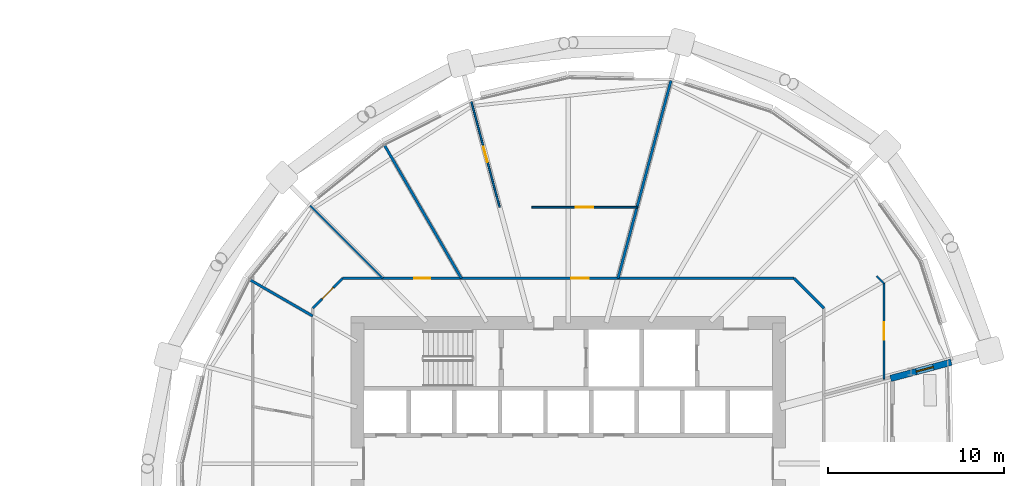
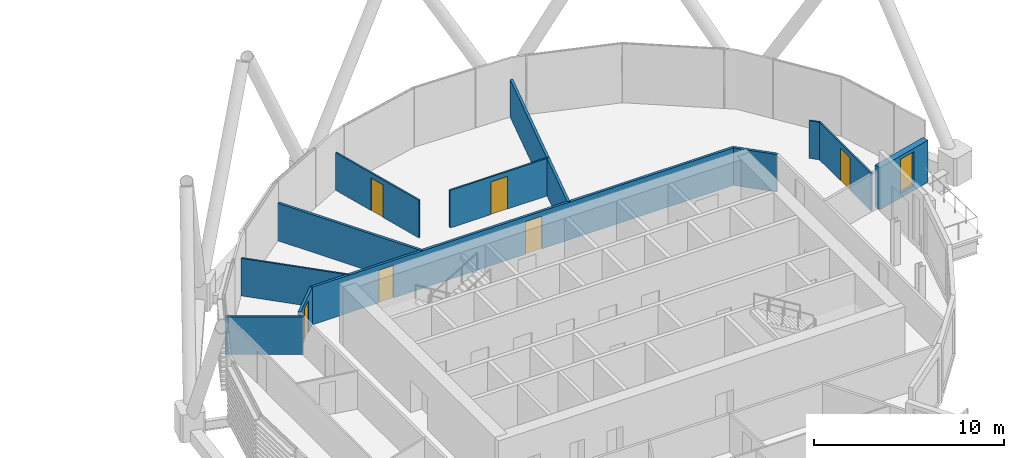
# One storey, part 30 of 38: 12 walls, 6 doors, 1 window, 7 openings.
"""IFC4 building model written with IfcOpenShell, lengths in metres."""

from ifc_helpers import new_model, si_unit, direction, frame, frame_2d, origin, place, context, subcontext, project, spatial, rectangle, extrude, material, layer, layer_set, type_object, element, fill, save


model = new_model("IFC4")

# Units and contexts
model_context = context("Model", 3, precision=1e-05, world=origin(), true_north=direction((0.0, 1.0)))
body_context = subcontext(model_context, "Body", "Model", "MODEL_VIEW")
ifc_project = project(units=[si_unit("LENGTHUNIT", "METRE"), si_unit("AREAUNIT", "SQUARE_METRE"), si_unit("VOLUMEUNIT", "CUBIC_METRE"), si_unit("PLANEANGLEUNIT", "RADIAN"), si_unit("MASSUNIT", "GRAM", prefix="KILO")], contexts=[model_context])

# Site, building, storey
site_placement = place(None, origin())
site = spatial("IfcSite", under=ifc_project, at=site_placement, CompositionType="ELEMENT")
building_placement = place(site_placement, origin())
building = spatial("IfcBuilding", under=site, at=building_placement, Name="Rimbun Link Towers", CompositionType="ELEMENT")
storey_placement = place(building_placement, frame((0.0, 0.0, 104.39990234375)))
storey = spatial("IfcBuildingStorey", under=building, at=storey_placement, Name="L25", CompositionType="ELEMENT", Elevation=104.39990234375)

# Wall, opening, window
ifc_material_1 = material(Name="Dark enamelled glass spandrel on insulated aluminium backpan", Category="aluminium")
ifc_layer_1 = layer(ifc_material_1, 0.3701171875)
ifc_layer_set_1 = layer_set([ifc_layer_1], Name="CS dark enamelled spandrel wall 370")
wall_type_1 = type_object("IfcWallType", Name="CS dark enamelled spandrel wall 370", PredefinedType="STANDARD", material=ifc_layer_set_1)
wall_1_placement = place(storey_placement, frame((53.553955078125, 5.775146484375, 0.0), z_axis=(0.0, 0.0, 1.0), x_axis=(-0.965929787715, -0.258804260405, 0.0)))
wall_1 = element("IfcWall", 1, at=wall_1_placement, inside=storey, type_object=wall_type_1, Name="Crease spandrel wall", PredefinedType="STANDARD", context=body_context, shape_type="SweptSolid", body=[
    extrude(rectangle(XDim=3.580078125, YDim=0.3701171875, at=frame_2d((1.7900390625, 0.0))), origin(), (0.0, 0.0, 1.0), 2.711669921875),
])
opening_1_placement = place(wall_1_placement, frame((1.060791015625, 0.0, 0.300048828125)))
opening_1 = element("IfcOpeningElement", 2, at=opening_1_placement, cuts=wall_1, Name="Opening WR10H220", PredefinedType="OPENING", context=body_context, shape_type="SweptSolid", body=[
    extrude(rectangle(XDim=1.0, YDim=2.199951171875, at=frame_2d((0.5, 1.10009765625))), frame((0.0, 0.195068359375, 0.0), z_axis=(0.0, -1.0, 0.0), x_axis=(1.0, 0.0, 0.0)), (0.0, 0.0, 1.0), 0.39013671875),
])
ifc_material_2 = material(Name="Aluminium framed fixed window, dark tinted low-e glass", Category="aluminium")
window_type = type_object("IfcWindowType", Name="WR ribbon window 1000X2200", PartitioningType="SINGLE_PANEL", PredefinedType="WINDOW", material=ifc_material_2)
window_placement = place(opening_1_placement, origin())
window = element("IfcWindow", 3, at=window_placement, inside=storey, type_object=window_type, Name="Crease ribbon window", OverallHeight=2.199951171875, OverallWidth=1.0, PartitioningType="SINGLE_PANEL", PredefinedType="WINDOW", context=body_context, shape_type="SweptSolid", body=[
    extrude(rectangle(XDim=1.0, YDim=2.199951171875, at=frame_2d((0.5, 1.10009765625))), frame((0.0, 0.030029296875, 0.0), z_axis=(0.0, -1.0, 0.0), x_axis=(1.0, 0.0, 0.0)), (0.0, 0.0, 1.0), 0.06005859375),
])
fill(opening_1, window)

# Wall, openings, doors
ifc_material_3 = material(Name="Plasterboard on steel stud, mineral wool", Category="steel")
ifc_layer_2 = layer(ifc_material_3, 0.14990234375)
ifc_layer_set_2 = layer_set([ifc_layer_2], Name="Corridor wall EI 30 150 mm")
wall_type_2 = type_object("IfcWallType", Name="Corridor wall EI 30 150 mm", PredefinedType="PARTITIONING", material=ifc_layer_set_2)
wall_2_placement = place(storey_placement, frame((18.898193359375, 10.550048828125, 0.0), z_axis=(0.0, 0.0, 1.0), x_axis=(1.0, 0.0, 0.0)))
wall_2 = element("IfcWall", 4, at=wall_2_placement, inside=storey, type_object=wall_type_2, Name="Corridor wall EI 30 150 mm", PredefinedType="PARTITIONING", context=body_context, shape_type="SweptSolid", body=[
    extrude(rectangle(XDim=25.70361328125, YDim=0.14990234375, at=frame_2d((12.851806640625, 0.0))), origin(), (0.0, 0.0, 1.0), 2.420166015625),
])
opening_2_placement = place(wall_2_placement, frame((13.026611328125, 0.0, 0.0)))
opening_2 = element("IfcOpeningElement", 5, at=opening_2_placement, cuts=wall_2, Name="Opening D01", PredefinedType="OPENING", context=body_context, shape_type="SweptSolid", body=[
    extrude(rectangle(XDim=1.0, YDim=2.10009765625, at=frame_2d((0.5, 1.050048828125))), frame((0.0, 0.0849609375, 0.0), z_axis=(0.0, -1.0, 0.0), x_axis=(1.0, 0.0, 0.0)), (0.0, 0.0, 1.0), 0.169921875),
])
opening_3_placement = place(wall_2_placement, frame((4.081298828125, 0.0, 0.0)))
opening_3 = element("IfcOpeningElement", 6, at=opening_3_placement, cuts=wall_2, Name="Opening D02", PredefinedType="OPENING", context=body_context, shape_type="SweptSolid", body=[
    extrude(rectangle(XDim=0.89990234375, YDim=2.10009765625, at=frame_2d((0.449951171875, 1.050048828125))), frame((0.0, 0.0849609375, 0.0), z_axis=(0.0, -1.0, 0.0), x_axis=(1.0, 0.0, 0.0)), (0.0, 0.0, 1.0), 0.169921875),
])
ifc_material_4 = material(Name="Fire-resisting timber door leaf", Category="wood")
door_type_1 = type_object("IfcDoorType", Name="Fire door FD30S 1000", OperationType="NOTDEFINED", PredefinedType="DOOR", material=ifc_material_4)
door_1_placement = place(opening_2_placement, origin())
door_1 = element("IfcDoor", 7, at=door_1_placement, inside=storey, type_object=door_type_1, Name="Fire door FD30S 1000 to Reception", OperationType="SINGLE_SWING_RIGHT", OverallHeight=2.10009765625, OverallWidth=1.0, PredefinedType="DOOR", context=body_context, shape_type="SweptSolid", body=[
    extrude(rectangle(XDim=1.0, YDim=2.10009765625, at=frame_2d((0.5, 1.050048828125))), frame((0.0, 0.02490234375, 0.0), z_axis=(0.0, -1.0, 0.0), x_axis=(1.0, 0.0, 0.0)), (0.0, 0.0, 1.0), 0.050048828125),
])
fill(opening_2, door_1)
ifc_material_5 = material(Name="Fire-resisting timber door leaf", Category="wood")
door_type_2 = type_object("IfcDoorType", Name="Fire door FD30S 900", OperationType="NOTDEFINED", PredefinedType="DOOR", material=ifc_material_5)
door_2_placement = place(opening_3_placement, origin())
door_2 = element("IfcDoor", 8, at=door_2_placement, inside=storey, type_object=door_type_2, Name="Fire door FD30S 900 to Cellular office", OperationType="SINGLE_SWING_LEFT", OverallHeight=2.10009765625, OverallWidth=0.89990234375, PredefinedType="DOOR", context=body_context, shape_type="SweptSolid", body=[
    extrude(rectangle(XDim=0.89990234375, YDim=2.10009765625, at=frame_2d((0.449951171875, 1.050048828125))), frame((0.0, 0.02490234375, 0.0), z_axis=(0.0, -1.0, 0.0), x_axis=(1.0, 0.0, 0.0)), (0.0, 0.0, 1.0), 0.050048828125),
])
fill(opening_3, door_2)

# Wall
wall_3_placement = place(storey_placement, frame((46.300048828125, 8.851806640625, 0.0), z_axis=(0.0, 0.0, 1.0), x_axis=(-0.707106781187, 0.707106781187, 0.0)))
element("IfcWall", 9, at=wall_3_placement, inside=storey, type_object=wall_type_2, Name="Corridor wall EI 30 150 mm", PredefinedType="PARTITIONING", context=body_context, shape_type="SweptSolid", body=[
    extrude(rectangle(XDim=2.401611328125, YDim=0.14990234375, at=frame_2d((1.20068359375, 0.0))), origin(), (0.0, 0.0, 1.0), 2.420166015625),
])

# Wall, opening, door
wall_4_placement = place(storey_placement, frame((17.199951171875, 8.851806640625, 0.0), z_axis=(0.0, 0.0, 1.0), x_axis=(0.707106781187, 0.707106781187, 0.0)))
wall_4 = element("IfcWall", 10, at=wall_4_placement, inside=storey, type_object=wall_type_2, Name="Corridor wall EI 30 150 mm", PredefinedType="PARTITIONING", context=body_context, shape_type="SweptSolid", body=[
    extrude(rectangle(XDim=2.401611328125, YDim=0.14990234375, at=frame_2d((1.20068359375, 0.0))), origin(), (0.0, 0.0, 1.0), 2.420166015625),
])
opening_4_placement = place(wall_4_placement, frame((0.7509765625, 0.0, 0.0)))
opening_4 = element("IfcOpeningElement", 11, at=opening_4_placement, cuts=wall_4, Name="Opening D02", PredefinedType="OPENING", context=body_context, shape_type="SweptSolid", body=[
    extrude(rectangle(XDim=0.89990234375, YDim=2.10009765625, at=frame_2d((0.449951171875, 1.050048828125))), frame((0.0, 0.0849609375, 0.0), z_axis=(0.0, -1.0, 0.0), x_axis=(1.0, 0.0, 0.0)), (0.0, 0.0, 1.0), 0.169921875),
])
door_3_placement = place(opening_4_placement, origin())
door_3 = element("IfcDoor", 12, at=door_3_placement, inside=storey, type_object=door_type_2, Name="Fire door FD30S 900 to Cellular office", OperationType="SINGLE_SWING_RIGHT", OverallHeight=2.10009765625, OverallWidth=0.89990234375, PredefinedType="DOOR", context=body_context, shape_type="SweptSolid", body=[
    extrude(rectangle(XDim=0.89990234375, YDim=2.10009765625, at=frame_2d((0.449951171875, 1.050048828125))), frame((0.0, 0.02490234375, 0.0), z_axis=(0.0, -1.0, 0.0), x_axis=(1.0, 0.0, 0.0)), (0.0, 0.0, 1.0), 0.050048828125),
])
fill(opening_4, door_3)

ifc_material_6 = material(Name="Plasterboard on steel stud", Category="steel")
ifc_layer_3 = layer(ifc_material_6, 0.10009765625)
ifc_layer_set_3 = layer_set([ifc_layer_3], Name="Plasterboard partition 100 mm")
wall_type_3 = type_object("IfcWallType", Name="Plasterboard partition 100 mm", PredefinedType="PARTITIONING", material=ifc_layer_set_3)
wall_5_placement = place(storey_placement, frame((49.719970703125, 10.268310546875, 0.0), z_axis=(0.0, 0.0, 1.0), x_axis=(0.0, -1.0, 0.0)))
wall_5 = element("IfcWall", 13, at=wall_5_placement, inside=storey, type_object=wall_type_3, Name="Plasterboard partition 100 mm", PredefinedType="PARTITIONING", context=body_context, shape_type="SweptSolid", body=[
    extrude(rectangle(XDim=5.453125, YDim=0.10009765625, at=frame_2d((2.7265625, 0.0))), origin(), (0.0, 0.0, 1.0), 2.420166015625),
])
opening_5_placement = place(wall_5_placement, frame((2.2265625, 0.0, 0.0)))
opening_5 = element("IfcOpeningElement", 14, at=opening_5_placement, cuts=wall_5, Name="Opening D03", PredefinedType="OPENING", context=body_context, shape_type="SweptSolid", body=[
    extrude(rectangle(XDim=1.0, YDim=2.10009765625, at=frame_2d((0.5, 1.050048828125))), frame((0.0, 0.06005859375, 0.0), z_axis=(0.0, -1.0, 0.0), x_axis=(1.0, 0.0, 0.0)), (0.0, 0.0, 1.0), 0.1201171875),
])
ifc_material_7 = material(Name="Timber door leaf", Category="wood")
door_type_3 = type_object("IfcDoorType", Name="Flush door 1000", OperationType="NOTDEFINED", PredefinedType="DOOR", material=ifc_material_7)
door_4_placement = place(opening_5_placement, origin())
door_4 = element("IfcDoor", 15, at=door_4_placement, inside=storey, type_object=door_type_3, Name="Flush door 1000 to Open office", OperationType="SINGLE_SWING_RIGHT", OverallHeight=2.10009765625, OverallWidth=1.0, PredefinedType="DOOR", context=body_context, shape_type="SweptSolid", body=[
    extrude(rectangle(XDim=1.0, YDim=2.10009765625, at=frame_2d((0.5, 1.050048828125))), frame((0.0, 0.02490234375, 0.0), z_axis=(0.0, -1.0, 0.0), x_axis=(1.0, 0.0, 0.0)), (0.0, 0.0, 1.0), 0.050048828125),
])
fill(opening_5, door_4)

# Wall
wall_6_placement = place(storey_placement, frame((49.719970703125, 10.268310546875, 0.0), z_axis=(0.0, 0.0, 1.0), x_axis=(-0.707106781187, 0.707106781187, 0.0)))
element("IfcWall", 16, at=wall_6_placement, inside=storey, type_object=wall_type_3, Name="Plasterboard partition 100 mm", PredefinedType="PARTITIONING", context=body_context, shape_type="SweptSolid", body=[
    extrude(rectangle(XDim=0.575439453125, YDim=0.10009765625, at=frame_2d((0.28759765625, 0.0))), origin(), (0.0, 0.0, 1.0), 2.420166015625),
])

# Wall, opening, door
wall_7_placement = place(storey_placement, frame((29.67578125, 14.60009765625, 0.0), z_axis=(0.0, 0.0, 1.0), x_axis=(1.0, 0.0, 0.0)))
wall_7 = element("IfcWall", 17, at=wall_7_placement, inside=storey, type_object=wall_type_3, Name="Plasterboard partition 100 mm", PredefinedType="PARTITIONING", context=body_context, shape_type="SweptSolid", body=[
    extrude(rectangle(XDim=5.986328125, YDim=0.10009765625, at=frame_2d((2.9931640625, 0.0))), origin(), (0.0, 0.0, 1.0), 2.420166015625),
])
opening_6_placement = place(wall_7_placement, frame((2.4931640625, 0.0, 0.0)))
opening_6 = element("IfcOpeningElement", 18, at=opening_6_placement, cuts=wall_7, Name="Opening D03", PredefinedType="OPENING", context=body_context, shape_type="SweptSolid", body=[
    extrude(rectangle(XDim=1.0, YDim=2.10009765625, at=frame_2d((0.5, 1.050048828125))), frame((0.0, 0.06005859375, 0.0), z_axis=(0.0, -1.0, 0.0), x_axis=(1.0, 0.0, 0.0)), (0.0, 0.0, 1.0), 0.1201171875),
])
door_5_placement = place(opening_6_placement, origin())
door_5 = element("IfcDoor", 19, at=door_5_placement, inside=storey, type_object=door_type_3, Name="Flush door 1000 to Boardroom", OperationType="SINGLE_SWING_LEFT", OverallHeight=2.10009765625, OverallWidth=1.0, PredefinedType="DOOR", context=body_context, shape_type="SweptSolid", body=[
    extrude(rectangle(XDim=1.0, YDim=2.10009765625, at=frame_2d((0.5, 1.050048828125))), frame((0.0, 0.02490234375, 0.0), z_axis=(0.0, -1.0, 0.0), x_axis=(1.0, 0.0, 0.0)), (0.0, 0.0, 1.0), 0.050048828125),
])
fill(opening_6, door_5)

wall_8_placement = place(storey_placement, frame((27.837890625, 14.60009765625, 0.0), z_axis=(0.0, 0.0, 1.0), x_axis=(-0.258827630908, 0.965923525688, 0.0)))
wall_8 = element("IfcWall", 20, at=wall_8_placement, inside=storey, type_object=wall_type_3, Name="Plasterboard partition 100 mm", PredefinedType="PARTITIONING", context=body_context, shape_type="SweptSolid", body=[
    extrude(rectangle(XDim=6.220703125, YDim=0.10009765625, at=frame_2d((3.1103515625, 0.0))), origin(), (0.0, 0.0, 1.0), 2.420166015625),
])
opening_7_placement = place(wall_8_placement, frame((2.660400390625, 0.0, 0.0)))
opening_7 = element("IfcOpeningElement", 21, at=opening_7_placement, cuts=wall_8, Name="Opening D04", PredefinedType="OPENING", context=body_context, shape_type="SweptSolid", body=[
    extrude(rectangle(XDim=0.89990234375, YDim=2.10009765625, at=frame_2d((0.449951171875, 1.050048828125))), frame((0.0, 0.06005859375, 0.0), z_axis=(0.0, -1.0, 0.0), x_axis=(1.0, 0.0, 0.0)), (0.0, 0.0, 1.0), 0.1201171875),
])
ifc_material_8 = material(Name="Timber door leaf", Category="wood")
door_type_4 = type_object("IfcDoorType", Name="Flush door 900", OperationType="NOTDEFINED", PredefinedType="DOOR", material=ifc_material_8)
door_6_placement = place(opening_7_placement, origin())
door_6 = element("IfcDoor", 22, at=door_6_placement, inside=storey, type_object=door_type_4, Name="Flush door 900 to Meeting room", OperationType="SINGLE_SWING_RIGHT", OverallHeight=2.10009765625, OverallWidth=0.89990234375, PredefinedType="DOOR", context=body_context, shape_type="SweptSolid", body=[
    extrude(rectangle(XDim=0.89990234375, YDim=2.10009765625, at=frame_2d((0.449951171875, 1.050048828125))), frame((0.0, 0.02490234375, 0.0), z_axis=(0.0, -1.0, 0.0), x_axis=(1.0, 0.0, 0.0)), (0.0, 0.0, 1.0), 0.050048828125),
])
fill(opening_7, door_6)

# Walls
wall_9_placement = place(storey_placement, frame((17.050537109375, 14.699462890625, 0.0), z_axis=(0.0, 0.0, 1.0), x_axis=(0.707106781187, -0.707106781187, 0.0)))
element("IfcWall", 23, at=wall_9_placement, inside=storey, type_object=wall_type_3, Name="Plasterboard partition 100 mm", PredefinedType="PARTITIONING", context=body_context, shape_type="SweptSolid", body=[
    extrude(rectangle(XDim=5.8681640625, YDim=0.10009765625, at=frame_2d((2.93408203125, 0.0))), origin(), (0.0, 0.0, 1.0), 2.420166015625),
])
ifc_material_9 = material(Name="Plasterboard on steel stud, mineral wool", Category="steel")
ifc_layer_4 = layer(ifc_material_9, 0.14990234375)
ifc_layer_set_4 = layer_set([ifc_layer_4], Name="Tenancy separation wall EI 60 150 mm")
wall_type_4 = type_object("IfcWallType", Name="Tenancy separation wall EI 60 150 mm", PredefinedType="PARTITIONING", material=ifc_layer_set_4)
wall_10_placement = place(storey_placement, frame((34.576904296875, 10.550048828125, 0.0), z_axis=(0.0, 0.0, 1.0), x_axis=(0.258817765452, 0.96592616917, 0.0)))
element("IfcWall", 24, at=wall_10_placement, inside=storey, type_object=wall_type_4, Name="Tenancy separation wall EI 60 150 mm", PredefinedType="PARTITIONING", context=body_context, shape_type="SweptSolid", body=[
    extrude(rectangle(XDim=11.6533203125, YDim=0.14990234375, at=frame_2d((5.82666015625, 0.0))), origin(), (0.0, 0.0, 1.0), 2.420166015625),
])
wall_11_placement = place(storey_placement, frame((25.658935546875, 10.550048828125, 0.0), z_axis=(0.0, 0.0, 1.0), x_axis=(-0.500001864776, 0.866024327153, 0.0)))
element("IfcWall", 25, at=wall_11_placement, inside=storey, type_object=wall_type_4, Name="Tenancy separation wall EI 60 150 mm", PredefinedType="PARTITIONING", context=body_context, shape_type="SweptSolid", body=[
    extrude(rectangle(XDim=8.74853515625, YDim=0.14990234375, at=frame_2d((4.374267578125, 0.0))), origin(), (0.0, 0.0, 1.0), 2.420166015625),
])
wall_12_placement = place(storey_placement, frame((17.199951171875, 8.400390625, 0.0), z_axis=(0.0, 0.0, 1.0), x_axis=(-0.866015268904, 0.500017553716, 0.0)))
element("IfcWall", 26, at=wall_12_placement, inside=storey, type_object=wall_type_4, Name="Tenancy separation wall EI 60 150 mm", PredefinedType="PARTITIONING", context=body_context, shape_type="SweptSolid", body=[
    extrude(rectangle(XDim=4.129638671875, YDim=0.14990234375, at=frame_2d((2.06494140625, 0.0))), origin(), (0.0, 0.0, 1.0), 2.420166015625),
])

save(model, "model.ifc")
